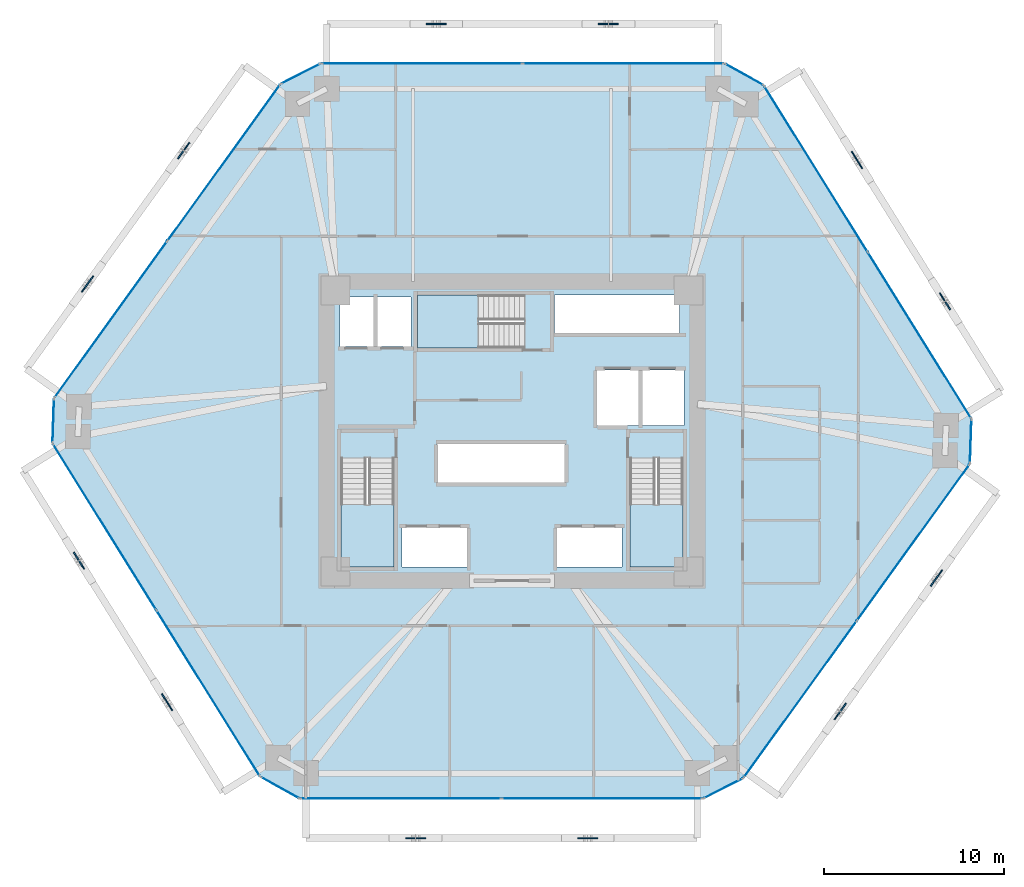
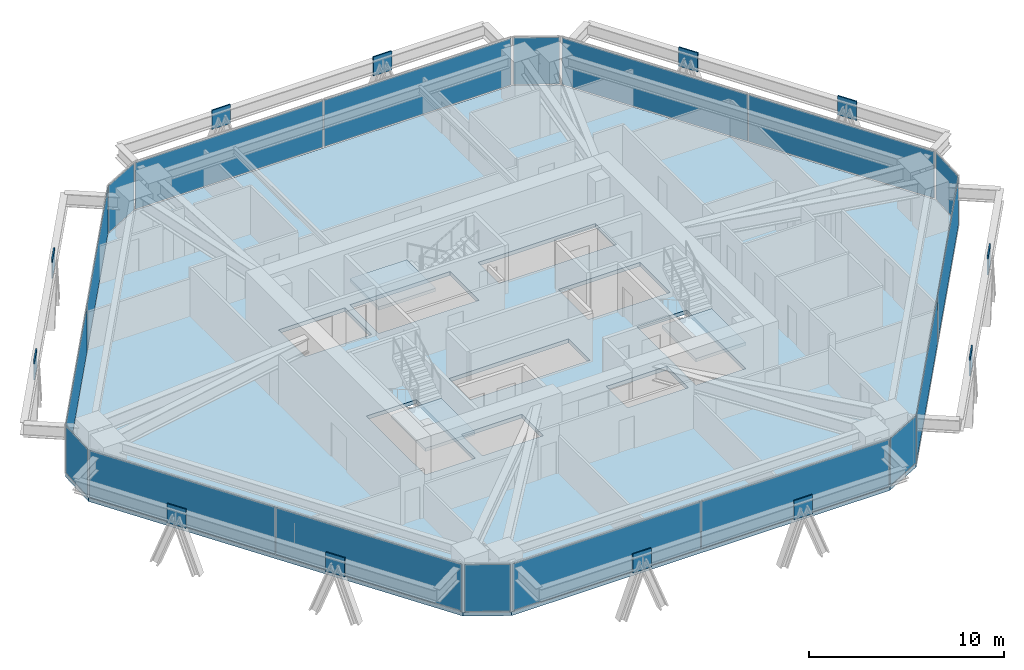
# One storey, part 10 of 17: 30 plates, 4 slabs, 15 elements without a shape of their own.
"""IFC4 building model written with IfcOpenShell, lengths in metres."""

import ifcopenshell
import ifcopenshell.guid

model = None  # the IFC model being written
_history = None  # IfcOwnerHistory: only IFC2X3 demands one
_inside = {}  # id of a spatial element -> (the spatial element, [elements in it])
_under = {}  # id of a project, library or spatial element -> (it, [spatial elements below it])
_declared = {}  # id of a project -> (the project, [libraries it declares])
_typed = {}  # id of a type object -> (the type object, [elements of that type])
_made_of = {}  # id of a material, layer set ... -> (it, [elements and type objects made of it])


def new_model(schema):
    """Start an empty IFC model of exactly this schema.

    Asked for "IFC4X3", IfcOpenShell would pick the latest addendum, in which some entities
    have other attributes; the version numbers below select the first issue.
    IFC2X3 requires an IfcOwnerHistory on every rooted entity: one is made here for all.
    """
    global model, _history
    if schema == "IFC4X3":
        model = ifcopenshell.file(schema_version=(4, 3, 0, 0))
    else:
        model = ifcopenshell.file(schema=schema)
    _inside.clear()
    _under.clear()
    _declared.clear()
    _typed.clear()
    _made_of.clear()
    _history = None
    if model.schema == "IFC2X3":
        org = make("IfcOrganization", Name="unknown")
        user = make(
            "IfcPersonAndOrganization",
            ThePerson=make("IfcPerson", FamilyName="unknown"),
            TheOrganization=org,
        )
        app = make(
            "IfcApplication",
            ApplicationDeveloper=org,
            Version="unknown",
            ApplicationFullName="unknown",
            ApplicationIdentifier="unknown",
        )
        _history = make(
            "IfcOwnerHistory",
            OwningUser=user,
            OwningApplication=app,
            ChangeAction="ADDED",
            CreationDate=0,
        )
    return model


def make(cls, **values):
    """One entity of the class cls with the attributes given. An attribute that is None is left unset."""
    return model.create_entity(
        cls, **{name: value for name, value in values.items() if value is not None}
    )


def rooted(cls, **values):
    """An entity with a GlobalId (a new one), such as an element, a storey or a relation."""
    return make(cls, GlobalId=ifcopenshell.guid.new(), OwnerHistory=_history, **values)


def si_unit(unit_type, name, prefix=None):
    """IfcSIUnit, for example si_unit("LENGTHUNIT", "METRE", prefix="MILLI")."""
    return make("IfcSIUnit", UnitType=unit_type, Prefix=prefix, Name=name)


def assignment(units):
    """IfcUnitAssignment: the units of a project."""
    return None if units is None else make("IfcUnitAssignment", Units=units)


def point(xyz):
    """IfcCartesianPoint."""
    return None if xyz is None else make("IfcCartesianPoint", Coordinates=xyz)


def direction(xyz):
    """IfcDirection."""
    return None if xyz is None else make("IfcDirection", DirectionRatios=xyz)


def frame(location, z_axis=None, x_axis=None):
    """IfcAxis2Placement3D, a coordinate frame: its origin and axes. An axis left out is left unset."""
    return make(
        "IfcAxis2Placement3D",
        Location=point(location),
        Axis=direction(z_axis),
        RefDirection=direction(x_axis),
    )


def frame_2d(location, x_axis=None):
    """IfcAxis2Placement2D, a coordinate frame in the plane: its origin and x axis."""
    return make(
        "IfcAxis2Placement2D", Location=point(location), RefDirection=direction(x_axis)
    )


def origin():
    """The frame at (0, 0, 0) with its axes left unset."""
    return frame((0.0, 0.0, 0.0))


def origin_2d():
    """The frame at (0, 0) in the plane with its x axis left unset."""
    return frame_2d((0.0, 0.0))


def place(relative_to, where):
    """IfcLocalPlacement: puts the frame where relative to a parent placement (None: the world)."""
    return make(
        "IfcLocalPlacement", PlacementRelTo=relative_to, RelativePlacement=where
    )


def context(
    kind, dimensions, precision=None, world=None, true_north=None, identifier=None
):
    """IfcGeometricRepresentationContext, for example the 3D "Model" context."""
    return make(
        "IfcGeometricRepresentationContext",
        ContextIdentifier=identifier,
        ContextType=kind,
        CoordinateSpaceDimension=dimensions,
        Precision=precision,
        WorldCoordinateSystem=world,
        TrueNorth=true_north,
    )


def subcontext(parent, identifier, kind, view, scale=None):
    """IfcGeometricRepresentationSubContext, for example "Body" below "Model"."""
    return make(
        "IfcGeometricRepresentationSubContext",
        ContextIdentifier=identifier,
        ContextType=kind,
        ParentContext=parent,
        TargetScale=scale,
        TargetView=view,
    )


def project(units=None, contexts=None):
    """IfcProject with its units and contexts."""
    return rooted(
        "IfcProject",
        Name="project",
        RepresentationContexts=contexts,
        UnitsInContext=assignment(units),
    )


def spatial(cls, under=None, at=None, **own):
    """A site, building, storey or space (cls), placed at a placement, below another one or the project."""
    s = rooted(cls, ObjectPlacement=at, **own)
    if under is not None:
        _under.setdefault(under.id(), (under, []))[1].append(s)
    return s


def polyline(points):
    """IfcPolyline through the points."""
    return make("IfcPolyline", Points=[point(p) for p in points])


def profile(cls, at=None, kind="AREA", **sizes):
    """A parametric profile (cls). Its sizes go by their IFC names, for example OverallWidth=200.0."""
    return make(cls, ProfileType=kind, Position=at, **sizes)


def rectangle(**sizes):
    """IfcRectangleProfileDef."""
    return profile("IfcRectangleProfileDef", **sizes)


def outline(outer, holes=None, kind="AREA"):
    """IfcArbitraryClosedProfileDef: a profile drawn as a closed curve; with holes, ...WithVoids."""
    if holes is None:
        return make("IfcArbitraryClosedProfileDef", ProfileType=kind, OuterCurve=outer)
    return make(
        "IfcArbitraryProfileDefWithVoids",
        ProfileType=kind,
        OuterCurve=outer,
        InnerCurves=holes,
    )


def extrude(swept, where, along, depth):
    """IfcExtrudedAreaSolid: the profile swept, set in the frame where, extruded along a direction by depth."""
    return make(
        "IfcExtrudedAreaSolid",
        SweptArea=swept,
        Position=where,
        ExtrudedDirection=direction(along),
        Depth=depth,
    )


def shape(context_of_items, identifier, shape_type, items):
    """IfcShapeRepresentation: the items that make up one representation, for example the "Body"."""
    return make(
        "IfcShapeRepresentation",
        ContextOfItems=context_of_items,
        RepresentationIdentifier=identifier,
        RepresentationType=shape_type,
        Items=items,
    )


def source(mapping_origin, context_of_items, identifier, shape_type, items):
    """IfcRepresentationMap: a shape defined once, which mapped items show again and again."""
    return make(
        "IfcRepresentationMap",
        MappingOrigin=mapping_origin,
        MappedRepresentation=shape(context_of_items, identifier, shape_type, items),
    )


def transform(
    local_origin,
    x_axis=None,
    y_axis=None,
    z_axis=None,
    scale=None,
    scale2=None,
    scale3=None,
    uniform=True,
):
    """IfcCartesianTransformationOperator3D, or its non-uniform kind. x_axis, y_axis, z_axis: its Axis1, 2, 3."""
    if uniform:
        return make(
            "IfcCartesianTransformationOperator3D",
            Axis1=direction(x_axis),
            Axis2=direction(y_axis),
            LocalOrigin=point(local_origin),
            Scale=scale,
            Axis3=direction(z_axis),
        )
    return make(
        "IfcCartesianTransformationOperator3DnonUniform",
        Axis1=direction(x_axis),
        Axis2=direction(y_axis),
        LocalOrigin=point(local_origin),
        Scale=scale,
        Axis3=direction(z_axis),
        Scale2=scale2,
        Scale3=scale3,
    )


def mapped(mapping_source, mapping_target):
    """IfcMappedItem: shows the shape of a source again, moved by a transform."""
    return make(
        "IfcMappedItem", MappingSource=mapping_source, MappingTarget=mapping_target
    )


def material(Name=None, Category=None):
    """IfcMaterial."""
    return make("IfcMaterial", Name=Name, Category=Category)


def layer(
    of_material, thickness, ventilated=None, Name=None, Category=None, Priority=None
):
    """IfcMaterialLayer: one layer of a wall or slab, of a material (None: an air gap)."""
    return make(
        "IfcMaterialLayer",
        Material=of_material,
        LayerThickness=thickness,
        IsVentilated=ventilated,
        Name=Name,
        Category=Category,
        Priority=Priority,
    )


def layer_set(layers, Name=None):
    """IfcMaterialLayerSet."""
    return make("IfcMaterialLayerSet", MaterialLayers=layers, LayerSetName=Name)


def made_of(thing, what):
    """Note that an element or type object is made of a material, layer set ...; save() writes the relation."""
    if what is not None:
        _made_of.setdefault(what.id(), (what, []))[1].append(thing)
    return thing


def type_object(cls, material=None, **own):
    """A type object (cls), such as IfcWallType, which elements share."""
    return made_of(rooted(cls, **own), material)


def type_shapes(of_type, sources):
    """Give a type object the sources (RepresentationMaps) that its elements show as mapped items."""
    of_type.RepresentationMaps = sources


def element(
    cls,
    number,
    at=None,
    inside=None,
    cuts=None,
    type_object=None,
    material=None,
    context=None,
    identifier="Body",
    shape_type=None,
    held_by="IfcProductDefinitionShape",
    body=None,
    shapes=None,
    **own,
):
    """One element of the class cls, such as IfcWall. Its Tag is "e" and its number.

    at: its placement. inside: the storey or other place that contains it. cuts: it is an
    opening in that element (IfcRelVoidsElement). A single representation is given by context,
    identifier, shape_type and body (its items); several are given by shapes. held_by: the class
    of the entity that holds the representations. save() writes the other relations.
    """
    e = rooted(cls, Tag="e%d" % number, ObjectPlacement=at, **own)
    if body is not None:
        shapes = [shape(context, identifier, shape_type, body)]
    if shapes is not None:
        e.Representation = make(held_by, Representations=shapes)
    if inside is not None:
        _inside.setdefault(inside.id(), (inside, []))[1].append(e)
    if cuts is not None:
        rooted(
            "IfcRelVoidsElement", RelatingBuildingElement=cuts, RelatedOpeningElement=e
        )
    if type_object is not None:
        _typed.setdefault(type_object.id(), (type_object, []))[1].append(e)
    return made_of(e, material)


def aggregate(whole, parts):
    """IfcRelAggregates: a whole, such as a stair, and the parts it consists of."""
    return rooted("IfcRelAggregates", RelatingObject=whole, RelatedObjects=parts)


def save(model, path):
    """Write the relations noted so far, then the file.

    IfcRelAggregates (storeys below a building ...), IfcRelContainedInSpatialStructure (elements
    in a storey), IfcRelDefinesByType, IfcRelAssociatesMaterial and IfcRelDeclares: one each for
    every whole, place, type object, material and project.
    """
    for whole, parts in _under.values():
        aggregate(whole, parts)
    for where, things in _inside.values():
        rooted(
            "IfcRelContainedInSpatialStructure",
            RelatedElements=things,
            RelatingStructure=where,
        )
    for kind, things in _typed.values():
        rooted("IfcRelDefinesByType", RelatedObjects=things, RelatingType=kind)
    for what, things in _made_of.values():
        rooted("IfcRelAssociatesMaterial", RelatedObjects=things, RelatingMaterial=what)
    for by, libraries in _declared.values():
        rooted("IfcRelDeclares", RelatingContext=by, RelatedDefinitions=libraries)
    model.write(path)


model = new_model("IFC4")

# Units and contexts
model_context = context("Model", 3, precision=1e-05, world=origin(), true_north=direction((0.0, 1.0)))
body_context = subcontext(model_context, "Body", "Model", "MODEL_VIEW")
ifc_project = project(units=[si_unit("LENGTHUNIT", "METRE"), si_unit("AREAUNIT", "SQUARE_METRE"), si_unit("VOLUMEUNIT", "CUBIC_METRE"), si_unit("PLANEANGLEUNIT", "RADIAN"), si_unit("MASSUNIT", "GRAM", prefix="KILO")], contexts=[model_context])

# Site, building, storey
site_placement = place(None, origin())
site = spatial("IfcSite", under=ifc_project, at=site_placement, CompositionType="ELEMENT")
building_placement = place(site_placement, origin())
building = spatial("IfcBuilding", under=site, at=building_placement, Name="Durnholm Broadcast Tower", CompositionType="ELEMENT")
storey_placement = place(building_placement, frame((0.0, 0.0, 58.800048828125)))
storey = spatial("IfcBuildingStorey", under=building, at=storey_placement, Name="L14", CompositionType="ELEMENT", Elevation=58.800048828125)

# Slab
ifc_material_1 = material(Name="Concrete C50/60", Category="concrete")
ifc_layer_1 = layer(ifc_material_1, 0.239990234375)
ifc_layer_set_1 = layer_set([ifc_layer_1], Name="Concrete C50/60")
slab_type_1 = type_object("IfcSlabType", Name="SLAB-FLR-240", PredefinedType="FLOOR", material=ifc_layer_set_1)
slab_1_placement = place(storey_placement, frame((0.0, 0.0, -0.239990234375)))
element("IfcSlab", 1, at=slab_1_placement, inside=storey, type_object=slab_type_1, Name="L14 structural floor slab", PredefinedType="FLOOR", context=body_context, shape_type="SweptSolid", body=[
    extrude(outline(polyline([(-13.9794921875, -19.186279296875), (-11.793701171875, -20.39990234375), (10.6201171875, -20.39990234375), (12.845703125, -19.260986328125), (25.419921875, -1.820556640625), (25.50439453125, 0.677978515625), (13.9794921875, 19.186279296875), (11.793701171875, 20.39990234375), (-10.6201171875, 20.39990234375), (-12.845703125, 19.260986328125), (-25.419921875, 1.820556640625), (-25.50439453125, -0.677978515625), (-13.9794921875, -19.186279296875)]), holes=[polyline([(-2.5, -5.35009765625), (-6.10009765625, -5.35009765625), (-6.10009765625, -7.550048828125), (-2.5, -7.550048828125), (-2.5, -5.35009765625)]), polyline([(6.10009765625, -5.35009765625), (2.5, -5.35009765625), (2.5, -7.550048828125), (6.10009765625, -7.550048828125), (6.10009765625, -5.35009765625)]), polyline([(-6.5400390625, -7.550048828125), (-6.5400390625, -1.5), (-9.5, -1.5), (-9.5, -7.550048828125), (-6.5400390625, -7.550048828125)]), polyline([(9.5, -7.550048828125), (9.5, -1.5), (6.5400390625, -1.5), (6.5400390625, -7.550048828125), (9.5, -7.550048828125)]), polyline([(2.949951171875, -0.699951171875), (-4.14990234375, -0.699951171875), (-4.14990234375, -2.89990234375), (2.949951171875, -2.89990234375), (2.949951171875, -0.699951171875)]), polyline([(9.550048828125, 3.39990234375), (4.699951171875, 3.39990234375), (4.699951171875, 0.300048828125), (9.550048828125, 0.300048828125), (9.550048828125, 3.39990234375)]), polyline([(-5.60009765625, 7.449951171875), (-9.550048828125, 7.449951171875), (-9.550048828125, 4.699951171875), (-5.60009765625, 4.699951171875), (-5.60009765625, 7.449951171875)]), polyline([(-5.25, 7.56005859375), (-5.25, 4.60009765625), (0.699951171875, 4.60009765625), (0.699951171875, 7.56005859375), (-5.25, 7.56005859375)]), polyline([(9.31005859375, 5.39990234375), (9.31005859375, 7.550048828125), (2.35009765625, 7.550048828125), (2.35009765625, 5.39990234375), (9.31005859375, 5.39990234375)])]), origin(), (0.0, 0.0, 1.0), 0.239990234375),
])

# Stair, slab
stair_type = type_object("IfcStairType", Name="STAIR-DL-20R1650", PredefinedType="HALF_TURN_STAIR", material=ifc_material_1)
stair_1_placement = place(storey_placement, origin())
stair_1 = element("IfcStair", 2, at=stair_1_placement, inside=storey, type_object=stair_type, Name="L14 ST-1", PredefinedType="HALF_TURN_STAIR")
ifc_layer_2 = layer(ifc_material_1, 0.199951171875)
ifc_layer_set_2 = layer_set([ifc_layer_2], Name="Concrete C50/60")
slab_type_2 = type_object("IfcSlabType", Name="SLAB-LND-200", PredefinedType="LANDING", material=ifc_layer_set_2)
slab_2_placement = place(storey_placement, frame((0.0, 0.0, 1.449951171875)))
slab_2 = element("IfcSlab", 3, at=slab_2_placement, type_object=slab_type_2, Name="ST-1 landing 1", PredefinedType="LANDING", context=body_context, shape_type="SweptSolid", body=[
    extrude(outline(polyline([(-9.5, -4.06494140625), (-9.5, -7.550048828125), (-6.5400390625, -7.550048828125), (-6.5400390625, -4.06494140625), (-9.5, -4.06494140625)])), origin(), (0.0, 0.0, 1.0), 0.199951171875),
])
aggregate(stair_1, [slab_2])

stair_2_placement = place(storey_placement, origin())
stair_2 = element("IfcStair", 4, at=stair_2_placement, inside=storey, type_object=stair_type, Name="L14 ST-2", PredefinedType="HALF_TURN_STAIR")
slab_3_placement = place(storey_placement, frame((0.0, 0.0, 1.449951171875)))
slab_3 = element("IfcSlab", 5, at=slab_3_placement, type_object=slab_type_2, Name="ST-2 landing 1", PredefinedType="LANDING", context=body_context, shape_type="SweptSolid", body=[
    extrude(outline(polyline([(6.5400390625, -4.06494140625), (6.5400390625, -7.550048828125), (9.5, -7.550048828125), (9.5, -4.06494140625), (6.5400390625, -4.06494140625)])), origin(), (0.0, 0.0, 1.0), 0.199951171875),
])
aggregate(stair_2, [slab_3])

stair_3_placement = place(storey_placement, origin())
stair_3 = element("IfcStair", 6, at=stair_3_placement, inside=storey, type_object=stair_type, Name="L14 ST-3", PredefinedType="HALF_TURN_STAIR")
slab_4_placement = place(storey_placement, frame((0.0, 0.0, 1.449951171875)))
slab_4 = element("IfcSlab", 7, at=slab_4_placement, type_object=slab_type_2, Name="ST-3 landing 1", PredefinedType="LANDING", context=body_context, shape_type="SweptSolid", body=[
    extrude(outline(polyline([(-1.864990234375, 7.56005859375), (-5.25, 7.56005859375), (-5.25, 4.60009765625), (-1.864990234375, 4.60009765625), (-1.864990234375, 7.56005859375)])), origin(), (0.0, 0.0, 1.0), 0.199951171875),
])
aggregate(stair_3, [slab_4])

# Plates
ifc_material_2 = material(Name="Steel ASTM A572 Grade 50", Category="steel")
ifc_layer_3 = layer(ifc_material_2, 0.074951171875)
ifc_layer_set_3 = layer_set([ifc_layer_3], Name="Steel ASTM A572 Grade 50")
plate_type_1 = type_object("IfcPlateType", Name="PLT-KN03-GUS", PredefinedType="USERDEFINED", material=ifc_layer_set_3)
shared_shape_1 = source(origin(), body_context, "Body", "SweptSolid", [
    extrude(rectangle(XDim=1.10009765625, YDim=0.074951171875, at=origin_2d()), origin(), (0.0, 0.0, 1.0), 1.199951171875),
])
type_shapes(plate_type_1, [shared_shape_1])
for number, where, z_axis, x_axis, name in (
    (8, (-5.351318359375, -22.60009765625, 1.70849609375), (0.0, 0.0, 1.0), (1.0, 0.0, 0.0), "L14 welded diagrid node gusset plate KN03 F1"),
    (9, (4.202880859375, -22.60009765625, 1.70849609375), (0.0, 0.0, 1.0), (1.0, 0.0, 0.0), "L14 welded diagrid node gusset plate KN03 F1"),
    (10, (18.223388671875, -15.56396484375, 1.70849609375), (0.0, 0.0, 1.0), (0.584816108738, 0.81116590101, 0.0), "L14 welded diagrid node gusset plate KN03 F2"),
    (11, (23.5595703125, -8.16259765625, 1.70849609375), (0.0, 0.0, 1.0), (0.584816108738, 0.81116590101, 0.0), "L14 welded diagrid node gusset plate KN03 F2"),
    (12, (24.036376953125, 7.197509765625, 1.70849609375), (0.0, 0.0, 1.0), (-0.528586500185, 0.848879444811, 0.0), "L14 welded diagrid node gusset plate KN03 F3"),
    (13, (19.14892578125, 15.04638671875, 1.70849609375), (0.0, 0.0, 1.0), (-0.528586500185, 0.848879444811, 0.0), "L14 welded diagrid node gusset plate KN03 F3"),
    (14, (5.351318359375, 22.60009765625, 1.70849609375), (0.0, 0.0, 1.0), (-1.0, 0.0, 0.0), "L14 welded diagrid node gusset plate KN03 F4"),
    (15, (-4.202880859375, 22.60009765625, 1.70849609375), (0.0, 0.0, 1.0), (-1.0, 0.0, 0.0), "L14 welded diagrid node gusset plate KN03 F4"),
    (16, (-18.223388671875, 15.56396484375, 1.70849609375), (0.0, 0.0, 1.0), (-0.584816108738, -0.81116590101, 0.0), "L14 welded diagrid node gusset plate KN03 F5"),
    (17, (-23.5595703125, 8.16259765625, 1.70849609375), (0.0, 0.0, 1.0), (-0.584816108738, -0.81116590101, 0.0), "L14 welded diagrid node gusset plate KN03 F5"),
    (18, (-24.036376953125, -7.197509765625, 1.70849609375), (0.0, 0.0, 1.0), (0.528586500185, -0.848879444811, 0.0), "L14 welded diagrid node gusset plate KN03 F6"),
    (19, (-19.14892578125, -15.04638671875, 1.70849609375), (0.0, 0.0, 1.0), (0.528586500185, -0.848879444811, 0.0), "L14 welded diagrid node gusset plate KN03 F6"),
):
    element("IfcPlate", number, at=place(storey_placement, frame(where, z_axis=z_axis, x_axis=x_axis)), inside=storey, type_object=plate_type_1, Name=name, ObjectType="GUSSET_PLATE", PredefinedType="USERDEFINED", context=body_context, shape_type="MappedRepresentation", body=[
        mapped(shared_shape_1, transform((0.0, 0.0, 0.0), x_axis=(1.0, 0.0, 0.0), y_axis=(0.0, 1.0, 0.0), z_axis=(0.0, 0.0, 1.0), scale=1.0)),
    ])

# Curtain wall, plate
ifc_material_3 = material(Name="Aluminium and Solar Control IGU", Category="aluminium")
ifc_layer_4 = layer(ifc_material_3, 0.1650390625)
ifc_layer_set_4 = layer_set([ifc_layer_4], Name="Aluminium and Solar Control IGU")
curtain_wall_type_1 = type_object("IfcCurtainWallType", Name="CW-SYS-5", PredefinedType="NOTDEFINED", material=ifc_layer_set_4)
curtain_wall_1_placement = place(storey_placement, origin())
curtain_wall_1 = element("IfcCurtainWall", 20, at=curtain_wall_1_placement, inside=storey, type_object=curtain_wall_type_1, Name="L14 curtain wall CW-CORNER CW-L14-CRN-01", PredefinedType="NOTDEFINED")
ifc_material_4 = material(Name="Low-E Laminated Insulating Glass", Category="glass")
ifc_layer_5 = layer(ifc_material_4, 0.030029296875)
ifc_layer_set_5 = layer_set([ifc_layer_5], Name="Low-E Laminated Insulating Glass")
plate_type_2 = type_object("IfcPlateType", Name="CW-SYS-5-PNL", PredefinedType="CURTAIN_PANEL", material=ifc_layer_set_5)
shared_shape_2 = source(origin(), body_context, "Body", "SweptSolid", [
    extrude(rectangle(XDim=2.3701171875, YDim=0.030029296875, at=origin_2d()), origin(), (0.0, 0.0, 1.0), 2.929931640625),
])
plate_1_placement = place(storey_placement, frame((-25.462158203125, 0.5712890625, 0.06494140625), z_axis=(0.0, 0.0, 1.0), x_axis=(0.033839569233, 0.999427277772, 0.0)))
plate_1 = element("IfcPlate", 21, at=plate_1_placement, type_object=plate_type_2, Name="CW-CORNER panel 1.1", PredefinedType="CURTAIN_PANEL", context=body_context, shape_type="MappedRepresentation", body=[
    mapped(shared_shape_2, transform((0.0, 0.0, 0.0), x_axis=(1.0, 0.0, 0.0), y_axis=(0.0, 1.0, 0.0), z_axis=(0.0, 0.0, 1.0), scale=1.0)),
])
aggregate(curtain_wall_1, [plate_1])

curtain_wall_2_placement = place(storey_placement, origin())
curtain_wall_2 = element("IfcCurtainWall", 22, at=curtain_wall_2_placement, inside=storey, type_object=curtain_wall_type_1, Name="L14 curtain wall CW-CORNER CW-L14-CRN-03", PredefinedType="NOTDEFINED")
plate_2_placement = place(storey_placement, frame((-11.73291015625, 19.83056640625, 0.06494140625), z_axis=(0.0, 0.0, 1.0), x_axis=(0.890187804512, 0.455593758406, 0.0)))
plate_2 = element("IfcPlate", 23, at=plate_2_placement, type_object=plate_type_2, Name="CW-CORNER panel 1.1", PredefinedType="CURTAIN_PANEL", context=body_context, shape_type="MappedRepresentation", body=[
    mapped(shared_shape_2, transform((0.0, 0.0, 0.0), x_axis=(1.0, 0.0, 0.0), y_axis=(0.0, 1.0, 0.0), z_axis=(0.0, 0.0, 1.0), scale=1.0)),
])
aggregate(curtain_wall_2, [plate_2])

curtain_wall_3_placement = place(storey_placement, origin())
curtain_wall_3 = element("IfcCurtainWall", 24, at=curtain_wall_3_placement, inside=storey, type_object=curtain_wall_type_1, Name="L14 curtain wall CW-CORNER CW-L14-CRN-07", PredefinedType="NOTDEFINED")
plate_3_placement = place(storey_placement, frame((25.462158203125, -0.5712890625, 0.06494140625), z_axis=(0.0, 0.0, 1.0), x_axis=(-0.033839569233, -0.999427277772, 0.0)))
plate_3 = element("IfcPlate", 25, at=plate_3_placement, type_object=plate_type_2, Name="CW-CORNER panel 1.1", PredefinedType="CURTAIN_PANEL", context=body_context, shape_type="MappedRepresentation", body=[
    mapped(shared_shape_2, transform((0.0, 0.0, 0.0), x_axis=(1.0, 0.0, 0.0), y_axis=(0.0, 1.0, 0.0), z_axis=(0.0, 0.0, 1.0), scale=1.0)),
])
aggregate(curtain_wall_3, [plate_3])

curtain_wall_4_placement = place(storey_placement, origin())
curtain_wall_4 = element("IfcCurtainWall", 26, at=curtain_wall_4_placement, inside=storey, type_object=curtain_wall_type_1, Name="L14 curtain wall CW-CORNER CW-L14-CRN-09", PredefinedType="NOTDEFINED")
plate_4_placement = place(storey_placement, frame((11.73291015625, -19.83056640625, 0.06494140625), z_axis=(0.0, 0.0, 1.0), x_axis=(-0.890187804512, -0.455593758406, 0.0)))
plate_4 = element("IfcPlate", 27, at=plate_4_placement, type_object=plate_type_2, Name="CW-CORNER panel 1.1", PredefinedType="CURTAIN_PANEL", context=body_context, shape_type="MappedRepresentation", body=[
    mapped(shared_shape_2, transform((0.0, 0.0, 0.0), x_axis=(1.0, 0.0, 0.0), y_axis=(0.0, 1.0, 0.0), z_axis=(0.0, 0.0, 1.0), scale=1.0)),
])
aggregate(curtain_wall_4, [plate_4])

# Curtain wall, plates
ifc_layer_6 = layer(ifc_material_3, 0.18994140625)
ifc_layer_set_6 = layer_set([ifc_layer_6], Name="Aluminium and Solar Control IGU")
curtain_wall_type_2 = type_object("IfcCurtainWallType", Name="CW-SYS-3", PredefinedType="NOTDEFINED", material=ifc_layer_set_6)
curtain_wall_5_placement = place(storey_placement, origin())
curtain_wall_5 = element("IfcCurtainWall", 28, at=curtain_wall_5_placement, inside=storey, type_object=curtain_wall_type_2, Name="L14 curtain wall CW-Z12-VIS CW-L14-F02", PredefinedType="NOTDEFINED")
ifc_layer_7 = layer(ifc_material_4, 0.031982421875)
ifc_layer_set_7 = layer_set([ifc_layer_7], Name="Low-E Laminated Insulating Glass")
plate_type_3 = type_object("IfcPlateType", Name="CW-SYS-3-PNL", PredefinedType="CURTAIN_PANEL", material=ifc_layer_set_7)
shared_shape_3 = source(origin(), body_context, "Body", "SweptSolid", [
    extrude(rectangle(XDim=10.645263671875, YDim=0.031982421875, at=origin_2d()), origin(), (0.0, 0.0, 1.0), 2.919921875),
])
plate_5_placement = place(storey_placement, frame((-22.26611328125, 6.19482421875, 0.070068359375), z_axis=(0.0, 0.0, 1.0), x_axis=(0.584823496176, 0.81116057493, 0.0)))
plate_5 = element("IfcPlate", 29, at=plate_5_placement, type_object=plate_type_3, Name="CW-Z12-VIS panel 1.1", PredefinedType="CURTAIN_PANEL", context=body_context, shape_type="MappedRepresentation", body=[
    mapped(shared_shape_3, transform((0.0, 0.0, 0.0), x_axis=(1.0, 0.0, 0.0), y_axis=(0.0, 1.0, 0.0), z_axis=(0.0, 0.0, 1.0), scale=1.0)),
])
plate_6_placement = place(storey_placement, frame((-15.99951171875, 14.88671875, 0.070068359375), z_axis=(0.0, 0.0, 1.0), x_axis=(0.584823496176, 0.81116057493, 0.0)))
plate_6 = element("IfcPlate", 30, at=plate_6_placement, type_object=plate_type_3, Name="CW-Z12-VIS panel 2.1", PredefinedType="CURTAIN_PANEL", context=body_context, shape_type="MappedRepresentation", body=[
    mapped(shared_shape_3, transform((0.0, 0.0, 0.0), x_axis=(1.0, 0.0, 0.0), y_axis=(0.0, 1.0, 0.0), z_axis=(0.0, 0.0, 1.0), scale=1.0)),
])
aggregate(curtain_wall_5, [plate_5, plate_6])

curtain_wall_6_placement = place(storey_placement, origin())
curtain_wall_6 = element("IfcCurtainWall", 31, at=curtain_wall_6_placement, inside=storey, type_object=curtain_wall_type_2, Name="L14 curtain wall CW-Z12-VIS CW-L14-F08", PredefinedType="NOTDEFINED")
plate_7_placement = place(storey_placement, frame((22.26611328125, -6.19482421875, 0.070068359375), z_axis=(0.0, 0.0, 1.0), x_axis=(-0.584823496176, -0.81116057493, 0.0)))
plate_7 = element("IfcPlate", 32, at=plate_7_placement, type_object=plate_type_3, Name="CW-Z12-VIS panel 1.1", PredefinedType="CURTAIN_PANEL", context=body_context, shape_type="MappedRepresentation", body=[
    mapped(shared_shape_3, transform((0.0, 0.0, 0.0), x_axis=(1.0, 0.0, 0.0), y_axis=(0.0, 1.0, 0.0), z_axis=(0.0, 0.0, 1.0), scale=1.0)),
])
plate_8_placement = place(storey_placement, frame((15.99951171875, -14.88671875, 0.070068359375), z_axis=(0.0, 0.0, 1.0), x_axis=(-0.584823496176, -0.81116057493, 0.0)))
plate_8 = element("IfcPlate", 33, at=plate_8_placement, type_object=plate_type_3, Name="CW-Z12-VIS panel 2.1", PredefinedType="CURTAIN_PANEL", context=body_context, shape_type="MappedRepresentation", body=[
    mapped(shared_shape_3, transform((0.0, 0.0, 0.0), x_axis=(1.0, 0.0, 0.0), y_axis=(0.0, 1.0, 0.0), z_axis=(0.0, 0.0, 1.0), scale=1.0)),
])
aggregate(curtain_wall_6, [plate_7, plate_8])

# Curtain wall, plate
curtain_wall_7_placement = place(storey_placement, origin())
curtain_wall_7 = element("IfcCurtainWall", 34, at=curtain_wall_7_placement, inside=storey, type_object=curtain_wall_type_1, Name="L14 curtain wall CW-CORNER CW-L14-CRN-05", PredefinedType="NOTDEFINED")
shared_shape_4 = source(origin(), body_context, "Body", "SweptSolid", [
    extrude(rectangle(XDim=2.369873046875, YDim=0.030029296875, at=origin_2d()), origin(), (0.0, 0.0, 1.0), 2.929931640625),
])
type_shapes(plate_type_2, [shared_shape_2, shared_shape_4])
plate_9_placement = place(storey_placement, frame((12.88671875, 19.793212890625, 0.06494140625), z_axis=(0.0, 0.0, 1.0), x_axis=(0.874245941394, -0.485483299359, 0.0)))
plate_9 = element("IfcPlate", 35, at=plate_9_placement, type_object=plate_type_2, Name="CW-CORNER panel 1.1", PredefinedType="CURTAIN_PANEL", context=body_context, shape_type="MappedRepresentation", body=[
    mapped(shared_shape_4, transform((0.0, 0.0, 0.0), x_axis=(1.0, 0.0, 0.0), y_axis=(0.0, 1.0, 0.0), z_axis=(0.0, 0.0, 1.0), scale=1.0)),
])
aggregate(curtain_wall_7, [plate_9])

curtain_wall_8_placement = place(storey_placement, origin())
curtain_wall_8 = element("IfcCurtainWall", 36, at=curtain_wall_8_placement, inside=storey, type_object=curtain_wall_type_1, Name="L14 curtain wall CW-CORNER CW-L14-CRN-11", PredefinedType="NOTDEFINED")
plate_10_placement = place(storey_placement, frame((-12.88671875, -19.793212890625, 0.06494140625), z_axis=(0.0, 0.0, 1.0), x_axis=(-0.874245941394, 0.485483299359, 0.0)))
plate_10 = element("IfcPlate", 37, at=plate_10_placement, type_object=plate_type_2, Name="CW-CORNER panel 1.1", PredefinedType="CURTAIN_PANEL", context=body_context, shape_type="MappedRepresentation", body=[
    mapped(shared_shape_4, transform((0.0, 0.0, 0.0), x_axis=(1.0, 0.0, 0.0), y_axis=(0.0, 1.0, 0.0), z_axis=(0.0, 0.0, 1.0), scale=1.0)),
])
aggregate(curtain_wall_8, [plate_10])

# Curtain wall, plates
curtain_wall_9_placement = place(storey_placement, origin())
curtain_wall_9 = element("IfcCurtainWall", 38, at=curtain_wall_9_placement, inside=storey, type_object=curtain_wall_type_2, Name="L14 curtain wall CW-Z12-VIS CW-L14-F06", PredefinedType="NOTDEFINED")
shared_shape_5 = source(origin(), body_context, "Body", "SweptSolid", [
    extrude(rectangle(XDim=10.796630859375, YDim=0.031982421875, at=origin_2d()), origin(), (0.0, 0.0, 1.0), 2.919921875),
])
plate_11_placement = place(storey_placement, frame((16.869873046875, 14.54443359375, 0.070068359375), z_axis=(0.0, 0.0, 1.0), x_axis=(0.528592376777, -0.848875785503, 0.0)))
plate_11 = element("IfcPlate", 39, at=plate_11_placement, type_object=plate_type_3, Name="CW-Z12-VIS panel 1.1", PredefinedType="CURTAIN_PANEL", context=body_context, shape_type="MappedRepresentation", body=[
    mapped(shared_shape_5, transform((0.0, 0.0, 0.0), x_axis=(1.0, 0.0, 0.0), y_axis=(0.0, 1.0, 0.0), z_axis=(0.0, 0.0, 1.0), scale=1.0)),
])
plate_12_placement = place(storey_placement, frame((22.614013671875, 5.320068359375, 0.070068359375), z_axis=(0.0, 0.0, 1.0), x_axis=(0.528592376777, -0.848875785503, 0.0)))
plate_12 = element("IfcPlate", 40, at=plate_12_placement, type_object=plate_type_3, Name="CW-Z12-VIS panel 2.1", PredefinedType="CURTAIN_PANEL", context=body_context, shape_type="MappedRepresentation", body=[
    mapped(shared_shape_5, transform((0.0, 0.0, 0.0), x_axis=(1.0, 0.0, 0.0), y_axis=(0.0, 1.0, 0.0), z_axis=(0.0, 0.0, 1.0), scale=1.0)),
])
aggregate(curtain_wall_9, [plate_11, plate_12])

curtain_wall_10_placement = place(storey_placement, origin())
curtain_wall_10 = element("IfcCurtainWall", 41, at=curtain_wall_10_placement, inside=storey, type_object=curtain_wall_type_2, Name="L14 curtain wall CW-Z12-VIS CW-L14-F12", PredefinedType="NOTDEFINED")
plate_13_placement = place(storey_placement, frame((-16.869873046875, -14.54443359375, 0.070068359375), z_axis=(0.0, 0.0, 1.0), x_axis=(-0.528592376777, 0.848875785503, 0.0)))
plate_13 = element("IfcPlate", 42, at=plate_13_placement, type_object=plate_type_3, Name="CW-Z12-VIS panel 1.1", PredefinedType="CURTAIN_PANEL", context=body_context, shape_type="MappedRepresentation", body=[
    mapped(shared_shape_5, transform((0.0, 0.0, 0.0), x_axis=(1.0, 0.0, 0.0), y_axis=(0.0, 1.0, 0.0), z_axis=(0.0, 0.0, 1.0), scale=1.0)),
])
plate_14_placement = place(storey_placement, frame((-22.614013671875, -5.320068359375, 0.070068359375), z_axis=(0.0, 0.0, 1.0), x_axis=(-0.528592376777, 0.848875785503, 0.0)))
plate_14 = element("IfcPlate", 43, at=plate_14_placement, type_object=plate_type_3, Name="CW-Z12-VIS panel 2.1", PredefinedType="CURTAIN_PANEL", context=body_context, shape_type="MappedRepresentation", body=[
    mapped(shared_shape_5, transform((0.0, 0.0, 0.0), x_axis=(1.0, 0.0, 0.0), y_axis=(0.0, 1.0, 0.0), z_axis=(0.0, 0.0, 1.0), scale=1.0)),
])
aggregate(curtain_wall_10, [plate_13, plate_14])

curtain_wall_11_placement = place(storey_placement, origin())
curtain_wall_11 = element("IfcCurtainWall", 44, at=curtain_wall_11_placement, inside=storey, type_object=curtain_wall_type_2, Name="L14 curtain wall CW-Z12-VIS CW-L14-F04", PredefinedType="NOTDEFINED")
shared_shape_6 = source(origin(), body_context, "Body", "SweptSolid", [
    extrude(rectangle(XDim=11.10205078125, YDim=0.031982421875, at=origin_2d()), origin(), (0.0, 0.0, 1.0), 2.919921875),
])
type_shapes(plate_type_3, [shared_shape_3, shared_shape_5, shared_shape_6])
plate_15_placement = place(storey_placement, frame((-4.999267578125, 20.39990234375, 0.070068359375), z_axis=(0.0, 0.0, 1.0), x_axis=(1.0, 0.0, 0.0)))
plate_15 = element("IfcPlate", 45, at=plate_15_placement, type_object=plate_type_3, Name="CW-Z12-VIS panel 1.1", PredefinedType="CURTAIN_PANEL", context=body_context, shape_type="MappedRepresentation", body=[
    mapped(shared_shape_6, transform((0.0, 0.0, 0.0), x_axis=(1.0, 0.0, 0.0), y_axis=(0.0, 1.0, 0.0), z_axis=(0.0, 0.0, 1.0), scale=1.0)),
])
plate_16_placement = place(storey_placement, frame((6.1728515625, 20.39990234375, 0.070068359375), z_axis=(0.0, 0.0, 1.0), x_axis=(1.0, 0.0, 0.0)))
plate_16 = element("IfcPlate", 46, at=plate_16_placement, type_object=plate_type_3, Name="CW-Z12-VIS panel 2.1", PredefinedType="CURTAIN_PANEL", context=body_context, shape_type="MappedRepresentation", body=[
    mapped(shared_shape_6, transform((0.0, 0.0, 0.0), x_axis=(1.0, 0.0, 0.0), y_axis=(0.0, 1.0, 0.0), z_axis=(0.0, 0.0, 1.0), scale=1.0)),
])
aggregate(curtain_wall_11, [plate_15, plate_16])

curtain_wall_12_placement = place(storey_placement, origin())
curtain_wall_12 = element("IfcCurtainWall", 47, at=curtain_wall_12_placement, inside=storey, type_object=curtain_wall_type_2, Name="L14 curtain wall CW-Z12-VIS CW-L14-F10", PredefinedType="NOTDEFINED")
plate_17_placement = place(storey_placement, frame((4.999267578125, -20.39990234375, 0.070068359375), z_axis=(0.0, 0.0, 1.0), x_axis=(-1.0, 0.0, 0.0)))
plate_17 = element("IfcPlate", 48, at=plate_17_placement, type_object=plate_type_3, Name="CW-Z12-VIS panel 1.1", PredefinedType="CURTAIN_PANEL", context=body_context, shape_type="MappedRepresentation", body=[
    mapped(shared_shape_6, transform((0.0, 0.0, 0.0), x_axis=(1.0, 0.0, 0.0), y_axis=(0.0, 1.0, 0.0), z_axis=(0.0, 0.0, 1.0), scale=1.0)),
])
plate_18_placement = place(storey_placement, frame((-6.1728515625, -20.39990234375, 0.070068359375), z_axis=(0.0, 0.0, 1.0), x_axis=(-1.0, 0.0, 0.0)))
plate_18 = element("IfcPlate", 49, at=plate_18_placement, type_object=plate_type_3, Name="CW-Z12-VIS panel 2.1", PredefinedType="CURTAIN_PANEL", context=body_context, shape_type="MappedRepresentation", body=[
    mapped(shared_shape_6, transform((0.0, 0.0, 0.0), x_axis=(1.0, 0.0, 0.0), y_axis=(0.0, 1.0, 0.0), z_axis=(0.0, 0.0, 1.0), scale=1.0)),
])
aggregate(curtain_wall_12, [plate_17, plate_18])

save(model, "model.ifc")
